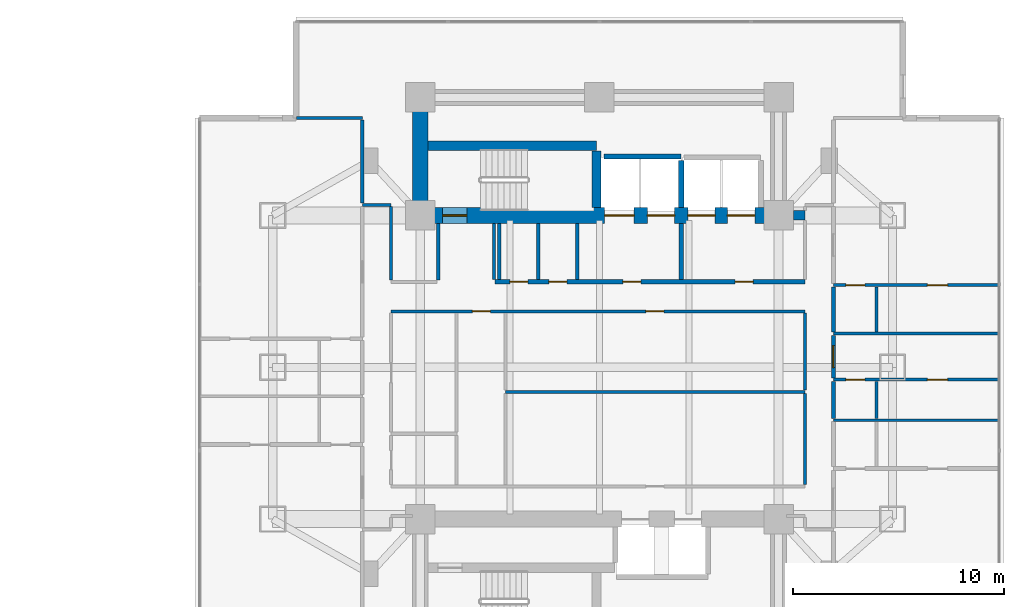
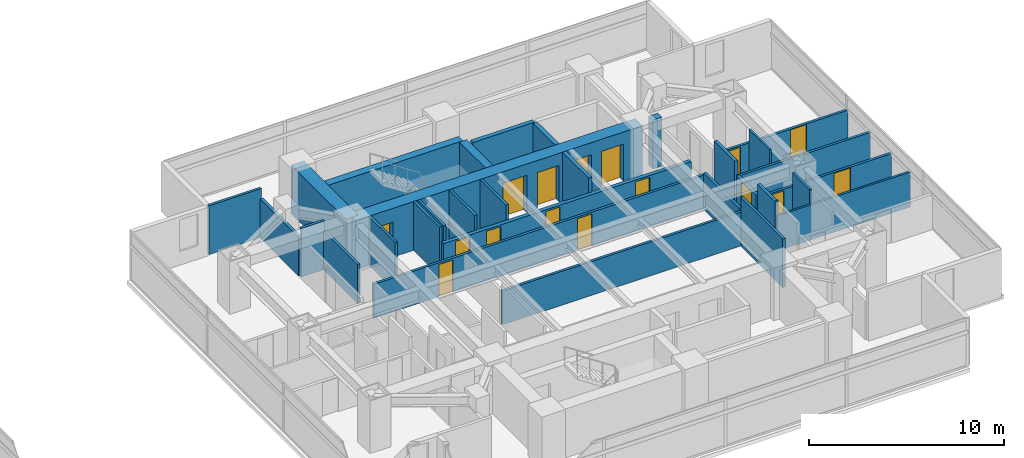
# One storey, part 19 of 26: 31 walls, 16 doors, 16 openings.
"""IFC4 building model written with IfcOpenShell, lengths in metres."""

from ifc_helpers import new_model, si_unit, direction, frame, frame_2d, origin, place, context, subcontext, project, spatial, rectangle, extrude, material, layer, layer_set, type_object, element, fill, save


model = new_model("IFC4")

# Units and contexts
model_context = context("Model", 3, precision=1e-05, world=origin(), true_north=direction((0.0, 1.0)))
body_context = subcontext(model_context, "Body", "Model", "MODEL_VIEW")
ifc_project = project(units=[si_unit("LENGTHUNIT", "METRE"), si_unit("AREAUNIT", "SQUARE_METRE"), si_unit("VOLUMEUNIT", "CUBIC_METRE"), si_unit("PLANEANGLEUNIT", "RADIAN"), si_unit("MASSUNIT", "GRAM", prefix="KILO")], contexts=[model_context])

# Site, building, storey
site_placement = place(None, origin())
site = spatial("IfcSite", under=ifc_project, at=site_placement, CompositionType="ELEMENT")
building_placement = place(site_placement, origin())
building = spatial("IfcBuilding", under=site, at=building_placement, Name="Mirazonda Arch Towers", CompositionType="ELEMENT")
storey_placement = place(building_placement, frame((0.0, 0.0, 38.89990234375)))
storey = spatial("IfcBuildingStorey", under=building, at=storey_placement, Name="L10", CompositionType="ELEMENT", Elevation=38.89990234375)

# Walls
ifc_material_1 = material(Name="Concrete C50/60", Category="concrete")
ifc_layer_1 = layer(ifc_material_1, 0.449951171875, Name="WALL-CORE-450")
ifc_layer_set_1 = layer_set([ifc_layer_1], Name="Concrete C50/60")
wall_type_1 = type_object("IfcWallType", Name="WALL-CORE-450", PredefinedType="SHEAR", material=ifc_layer_set_1)
wall_1_placement = place(storey_placement, frame((85.715087890625, 35.199951171875, 0.0), z_axis=(0.0, 0.0, 1.0), x_axis=(1.0, 0.0, 0.0)))
element("IfcWall", 1, at=wall_1_placement, inside=storey, type_object=wall_type_1, Name="L10 Stair Core Shear Wall 051", PredefinedType="SHEAR", context=body_context, shape_type="SweptSolid", body=[
    extrude(rectangle(XDim=0.534912109375, YDim=0.449951171875, at=frame_2d((0.267578125, 0.0))), origin(), (0.0, 0.0, 1.0), 3.06005859375),
])
wall_2_placement = place(storey_placement, frame((68.3701171875, 38.5, 0.0), z_axis=(0.0, 0.0, 1.0), x_axis=(1.0, 0.0, 0.0)))
element("IfcWall", 2, at=wall_2_placement, inside=storey, type_object=wall_type_1, Name="L10 Stair Core Shear Wall 056", PredefinedType="SHEAR", context=body_context, shape_type="SweptSolid", body=[
    extrude(rectangle(XDim=7.989990234375, YDim=0.449951171875, at=frame_2d((3.9951171875, 0.0))), origin(), (0.0, 0.0, 1.0), 3.06005859375),
])
wall_3_placement = place(storey_placement, frame((76.360107421875, 35.570068359375, 0.0), z_axis=(0.0, 0.0, 1.0), x_axis=(0.0, 1.0, 0.0)))
element("IfcWall", 3, at=wall_3_placement, inside=storey, type_object=wall_type_1, Name="L10 Stair Core Shear Wall 144", PredefinedType="SHEAR", context=body_context, shape_type="SweptSolid", body=[
    extrude(rectangle(XDim=2.69482421875, YDim=0.449951171875, at=frame_2d((1.347412109375, 0.0))), origin(), (0.0, 0.0, 1.0), 3.06005859375),
])
ifc_material_2 = material(Name="Concrete C60/75", Category="concrete")
ifc_layer_2 = layer(ifc_material_2, 0.75, Name="WALL-CORE-750")
ifc_layer_set_2 = layer_set([ifc_layer_2], Name="Concrete C60/75")
wall_type_2 = type_object("IfcWallType", Name="WALL-CORE-750", PredefinedType="SHEAR", material=ifc_layer_set_2)
wall_4_placement = place(storey_placement, frame((68.0, 35.199951171875, 0.0), z_axis=(0.0, 0.0, 1.0), x_axis=(0.0, 1.0, 0.0)))
element("IfcWall", 4, at=wall_4_placement, inside=storey, type_object=wall_type_2, Name="L10 T2N-W Core Shear Wall", PredefinedType="SHEAR", context=body_context, shape_type="SweptSolid", body=[
    extrude(rectangle(XDim=5.60009765625, YDim=0.75, at=frame_2d((2.800048828125, 0.0))), origin(), (0.0, 0.0, 1.0), 3.06005859375),
])

# Wall, openings, doors
wall_5_placement = place(storey_placement, frame((68.0, 35.199951171875, 0.0), z_axis=(0.0, 0.0, 1.0), x_axis=(1.0, 0.0, 0.0)))
wall_5 = element("IfcWall", 5, at=wall_5_placement, inside=storey, type_object=wall_type_2, Name="L10 T2N-S Core Shear Wall", PredefinedType="SHEAR", context=body_context, shape_type="SweptSolid", body=[
    extrude(rectangle(XDim=17.0, YDim=0.75, at=frame_2d((8.5, 0.0))), origin(), (0.0, 0.0, 1.0), 3.06005859375),
])
opening_1_placement = place(wall_5_placement, frame((1.06005859375, 0.0, 0.0)))
opening_1 = element("IfcOpeningElement", 6, at=opening_1_placement, cuts=wall_5, Name="Opening DR-135", PredefinedType="OPENING", context=body_context, shape_type="SweptSolid", body=[
    extrude(rectangle(XDim=1.14990234375, YDim=2.199951171875, at=frame_2d((0.574951171875, 1.10009765625))), frame((0.0, 0.385009765625, 0.0), z_axis=(0.0, -1.0, 0.0), x_axis=(1.0, 0.0, 0.0)), (0.0, 0.0, 1.0), 0.77001953125),
])
opening_2_placement = place(wall_5_placement, frame((8.75, 0.0, 0.0)))
opening_2 = element("IfcOpeningElement", 7, at=opening_2_placement, cuts=wall_5, Name="Opening LD-112", PredefinedType="OPENING", context=body_context, shape_type="SweptSolid", body=[
    extrude(rectangle(XDim=1.39990234375, YDim=2.35009765625, at=frame_2d((0.699951171875, 1.175048828125))), frame((0.0, 0.385009765625, 0.0), z_axis=(0.0, -1.0, 0.0), x_axis=(1.0, 0.0, 0.0)), (0.0, 0.0, 1.0), 0.77001953125),
])
opening_3_placement = place(wall_5_placement, frame((10.77001953125, 0.0, 0.0)))
opening_3 = element("IfcOpeningElement", 8, at=opening_3_placement, cuts=wall_5, Name="Opening LD-111", PredefinedType="OPENING", context=body_context, shape_type="SweptSolid", body=[
    extrude(rectangle(XDim=1.300048828125, YDim=2.300048828125, at=frame_2d((0.64990234375, 1.14990234375))), frame((0.0, 0.385009765625, 0.0), z_axis=(0.0, -1.0, 0.0), x_axis=(1.0, 0.0, 0.0)), (0.0, 0.0, 1.0), 0.77001953125),
])
opening_4_placement = place(wall_5_placement, frame((12.68994140625, 0.0, 0.0)))
opening_4 = element("IfcOpeningElement", 9, at=opening_4_placement, cuts=wall_5, Name="Opening LD-111", PredefinedType="OPENING", context=body_context, shape_type="SweptSolid", body=[
    extrude(rectangle(XDim=1.300048828125, YDim=2.300048828125, at=frame_2d((0.64990234375, 1.14990234375))), frame((0.0, 0.385009765625, 0.0), z_axis=(0.0, -1.0, 0.0), x_axis=(1.0, 0.0, 0.0)), (0.0, 0.0, 1.0), 0.77001953125),
])
opening_5_placement = place(wall_5_placement, frame((14.570068359375, 0.0, 0.0)))
opening_5 = element("IfcOpeningElement", 10, at=opening_5_placement, cuts=wall_5, Name="Opening LD-111", PredefinedType="OPENING", context=body_context, shape_type="SweptSolid", body=[
    extrude(rectangle(XDim=1.300048828125, YDim=2.300048828125, at=frame_2d((0.64990234375, 1.14990234375))), frame((0.0, 0.385009765625, 0.0), z_axis=(0.0, -1.0, 0.0), x_axis=(1.0, 0.0, 0.0)), (0.0, 0.0, 1.0), 0.77001953125),
])
ifc_material_3 = material(Name="Architectural Brushed Steel S355", Category="steel")
door_type_1 = type_object("IfcDoorType", Name="DOOR-LIFT-FFL-1400", OperationType="NOTDEFINED", PredefinedType="DOOR", material=ifc_material_3)
door_1_placement = place(opening_2_placement, origin())
door_1 = element("IfcDoor", 11, at=door_1_placement, inside=storey, type_object=door_type_1, Name="L10 Lift Landing Sliding Door FFL-T2", OperationType="DOUBLE_DOOR_SLIDING", OverallHeight=2.35009765625, OverallWidth=1.39990234375, PredefinedType="DOOR", context=body_context, shape_type="SweptSolid", body=[
    extrude(rectangle(XDim=1.39990234375, YDim=2.35009765625, at=frame_2d((0.699951171875, 1.175048828125))), frame((0.0, 0.02490234375, 0.0), z_axis=(0.0, -1.0, 0.0), x_axis=(1.0, 0.0, 0.0)), (0.0, 0.0, 1.0), 0.050048828125),
])
fill(opening_2, door_1)
door_type_2 = type_object("IfcDoorType", Name="DOOR-LIFT-LAND-1300", OperationType="NOTDEFINED", PredefinedType="DOOR", material=ifc_material_3)
door_2_placement = place(opening_3_placement, origin())
door_2 = element("IfcDoor", 12, at=door_2_placement, inside=storey, type_object=door_type_2, Name="L10 Lift Landing Sliding Door SVL-T2", OperationType="DOUBLE_DOOR_SLIDING", OverallHeight=2.300048828125, OverallWidth=1.300048828125, PredefinedType="DOOR", context=body_context, shape_type="SweptSolid", body=[
    extrude(rectangle(XDim=1.300048828125, YDim=2.300048828125, at=frame_2d((0.64990234375, 1.14990234375))), frame((0.0, 0.02490234375, 0.0), z_axis=(0.0, -1.0, 0.0), x_axis=(1.0, 0.0, 0.0)), (0.0, 0.0, 1.0), 0.050048828125),
])
fill(opening_3, door_2)
door_3_placement = place(opening_4_placement, origin())
door_3 = element("IfcDoor", 13, at=door_3_placement, inside=storey, type_object=door_type_2, Name="L10 Lift Landing Sliding Door PL-T2L1", OperationType="DOUBLE_DOOR_SLIDING", OverallHeight=2.300048828125, OverallWidth=1.300048828125, PredefinedType="DOOR", context=body_context, shape_type="SweptSolid", body=[
    extrude(rectangle(XDim=1.300048828125, YDim=2.300048828125, at=frame_2d((0.64990234375, 1.14990234375))), frame((0.0, 0.02490234375, 0.0), z_axis=(0.0, -1.0, 0.0), x_axis=(1.0, 0.0, 0.0)), (0.0, 0.0, 1.0), 0.050048828125),
])
fill(opening_4, door_3)
door_4_placement = place(opening_5_placement, origin())
door_4 = element("IfcDoor", 14, at=door_4_placement, inside=storey, type_object=door_type_2, Name="L10 Lift Landing Sliding Door PL-T2L2", OperationType="DOUBLE_DOOR_SLIDING", OverallHeight=2.300048828125, OverallWidth=1.300048828125, PredefinedType="DOOR", context=body_context, shape_type="SweptSolid", body=[
    extrude(rectangle(XDim=1.300048828125, YDim=2.300048828125, at=frame_2d((0.64990234375, 1.14990234375))), frame((0.0, 0.02490234375, 0.0), z_axis=(0.0, -1.0, 0.0), x_axis=(1.0, 0.0, 0.0)), (0.0, 0.0, 1.0), 0.050048828125),
])
fill(opening_5, door_4)
door_type_3 = type_object("IfcDoorType", Name="DOOR-STAIR-FD90-1150", OperationType="NOTDEFINED", PredefinedType="DOOR", material=ifc_material_3)
door_5_placement = place(opening_1_placement, origin())
door_5 = element("IfcDoor", 15, at=door_5_placement, inside=storey, type_object=door_type_3, Name="L10 East Protected Stair North Door", OperationType="SINGLE_SWING_LEFT", OverallHeight=2.199951171875, OverallWidth=1.14990234375, PredefinedType="DOOR", context=body_context, shape_type="SweptSolid", body=[
    extrude(rectangle(XDim=1.14990234375, YDim=2.199951171875, at=frame_2d((0.574951171875, 1.10009765625))), frame((0.0, 0.02490234375, 0.0), z_axis=(0.0, -1.0, 0.0), x_axis=(1.0, 0.0, 0.0)), (0.0, 0.0, 1.0), 0.050048828125),
])
fill(opening_1, door_5)

ifc_material_4 = material(Name="Concrete C40/50", Category="concrete")
ifc_layer_3 = layer(ifc_material_4, 0.219970703125, Name="WALL-FFL-220")
ifc_layer_set_3 = layer_set([ifc_layer_3], Name="Concrete C40/50")
wall_type_3 = type_object("IfcWallType", Name="WALL-FFL-220", PredefinedType="SOLIDWALL", material=ifc_layer_set_3)
wall_6_placement = place(storey_placement, frame((71.550048828125, 32.050048828125, 0.0), z_axis=(0.0, 0.0, 1.0), x_axis=(1.0, 0.0, 0.0)))
wall_6 = element("IfcWall", 16, at=wall_6_placement, inside=storey, type_object=wall_type_3, Name="L10 Interior Partition 045", PredefinedType="SOLIDWALL", context=body_context, shape_type="SweptSolid", body=[
    extrude(rectangle(XDim=14.699951171875, YDim=0.219970703125, at=frame_2d((7.35009765625, 0.0))), origin(), (0.0, 0.0, 1.0), 2.125),
])
opening_6_placement = place(wall_6_placement, frame((11.389892578125, 0.0, 0.0)))
opening_6 = element("IfcOpeningElement", 17, at=opening_6_placement, cuts=wall_6, Name="Opening DR-128", PredefinedType="OPENING", context=body_context, shape_type="SweptSolid", body=[
    extrude(rectangle(XDim=0.85009765625, YDim=2.010009765625, at=frame_2d((0.425048828125, 1.0048828125))), frame((0.0, 0.119873046875, 0.0), z_axis=(0.0, -1.0, 0.0), x_axis=(1.0, 0.0, 0.0)), (0.0, 0.0, 1.0), 0.239990234375),
])
opening_7_placement = place(wall_6_placement, frame((6.06494140625, 0.0, 0.0)))
opening_7 = element("IfcOpeningElement", 18, at=opening_7_placement, cuts=wall_6, Name="Opening DR-128", PredefinedType="OPENING", context=body_context, shape_type="SweptSolid", body=[
    extrude(rectangle(XDim=0.85009765625, YDim=2.010009765625, at=frame_2d((0.425048828125, 1.0048828125))), frame((0.0, 0.119873046875, 0.0), z_axis=(0.0, -1.0, 0.0), x_axis=(1.0, 0.0, 0.0)), (0.0, 0.0, 1.0), 0.239990234375),
])
opening_8_placement = place(wall_6_placement, frame((0.699951171875, 0.0, 0.0)))
opening_8 = element("IfcOpeningElement", 19, at=opening_8_placement, cuts=wall_6, Name="Opening DR-128", PredefinedType="OPENING", context=body_context, shape_type="SweptSolid", body=[
    extrude(rectangle(XDim=0.85009765625, YDim=2.010009765625, at=frame_2d((0.425048828125, 1.0048828125))), frame((0.0, 0.119873046875, 0.0), z_axis=(0.0, -1.0, 0.0), x_axis=(1.0, 0.0, 0.0)), (0.0, 0.0, 1.0), 0.239990234375),
])
opening_9_placement = place(wall_6_placement, frame((2.550048828125, 0.0, 0.0)))
opening_9 = element("IfcOpeningElement", 20, at=opening_9_placement, cuts=wall_6, Name="Opening DR-128", PredefinedType="OPENING", context=body_context, shape_type="SweptSolid", body=[
    extrude(rectangle(XDim=0.85009765625, YDim=2.010009765625, at=frame_2d((0.425048828125, 1.0048828125))), frame((0.0, 0.119873046875, 0.0), z_axis=(0.0, -1.0, 0.0), x_axis=(1.0, 0.0, 0.0)), (0.0, 0.0, 1.0), 0.239990234375),
])
door_type_4 = type_object("IfcDoorType", Name="DOOR-RISER-FD60-850", OperationType="NOTDEFINED", PredefinedType="DOOR", material=ifc_material_3)
door_6_placement = place(opening_6_placement, origin())
door_6 = element("IfcDoor", 21, at=door_6_placement, inside=storey, type_object=door_type_4, Name="L10 East Passenger Lift Lobby Door", OperationType="SINGLE_SWING_RIGHT", OverallHeight=2.010009765625, OverallWidth=0.85009765625, PredefinedType="DOOR", context=body_context, shape_type="SweptSolid", body=[
    extrude(rectangle(XDim=0.85009765625, YDim=2.010009765625, at=frame_2d((0.425048828125, 1.0048828125))), frame((0.0, 0.02490234375, 0.0), z_axis=(0.0, -1.0, 0.0), x_axis=(1.0, 0.0, 0.0)), (0.0, 0.0, 1.0), 0.050048828125),
])
fill(opening_6, door_6)
door_7_placement = place(opening_7_placement, origin())
door_7 = element("IfcDoor", 22, at=door_7_placement, inside=storey, type_object=door_type_4, Name="L10 East Firefighting Lift Lobby Door", OperationType="SINGLE_SWING_RIGHT", OverallHeight=2.010009765625, OverallWidth=0.85009765625, PredefinedType="DOOR", context=body_context, shape_type="SweptSolid", body=[
    extrude(rectangle(XDim=0.85009765625, YDim=2.010009765625, at=frame_2d((0.425048828125, 1.0048828125))), frame((0.0, 0.02490234375, 0.0), z_axis=(0.0, -1.0, 0.0), x_axis=(1.0, 0.0, 0.0)), (0.0, 0.0, 1.0), 0.050048828125),
])
fill(opening_7, door_7)
door_8_placement = place(opening_8_placement, origin())
door_8 = element("IfcDoor", 23, at=door_8_placement, inside=storey, type_object=door_type_4, Name="L10 Tower 2 Electrical Room Door", OperationType="SINGLE_SWING_LEFT", OverallHeight=2.010009765625, OverallWidth=0.85009765625, PredefinedType="DOOR", context=body_context, shape_type="SweptSolid", body=[
    extrude(rectangle(XDim=0.85009765625, YDim=2.010009765625, at=frame_2d((0.425048828125, 1.0048828125))), frame((0.0, 0.02490234375, 0.0), z_axis=(0.0, -1.0, 0.0), x_axis=(1.0, 0.0, 0.0)), (0.0, 0.0, 1.0), 0.050048828125),
])
fill(opening_8, door_8)
door_9_placement = place(opening_9_placement, origin())
door_9 = element("IfcDoor", 24, at=door_9_placement, inside=storey, type_object=door_type_4, Name="L10 Tower 2 Cleaners Store Door", OperationType="SINGLE_SWING_RIGHT", OverallHeight=2.010009765625, OverallWidth=0.85009765625, PredefinedType="DOOR", context=body_context, shape_type="SweptSolid", body=[
    extrude(rectangle(XDim=0.85009765625, YDim=2.010009765625, at=frame_2d((0.425048828125, 1.0048828125))), frame((0.0, 0.02490234375, 0.0), z_axis=(0.0, -1.0, 0.0), x_axis=(1.0, 0.0, 0.0)), (0.0, 0.0, 1.0), 0.050048828125),
])
fill(opening_9, door_9)

# Walls
wall_7_placement = place(storey_placement, frame((80.3798828125, 32.169921875, 0.0), z_axis=(0.0, 0.0, 1.0), x_axis=(0.0, 1.0, 0.0)))
element("IfcWall", 25, at=wall_7_placement, inside=storey, type_object=wall_type_3, Name="L10 Interior Partition 146", PredefinedType="SOLIDWALL", context=body_context, shape_type="SweptSolid", body=[
    extrude(rectangle(XDim=2.66015625, YDim=0.219970703125, at=frame_2d((1.330078125, 0.0))), origin(), (0.0, 0.0, 1.0), 3.06005859375),
])
ifc_material_5 = material(Name="Fire-Rated Gypsum Stud Partition")
ifc_layer_4 = layer(ifc_material_5, 0.14990234375, Name="WALL-PART-CORR-150")
ifc_layer_set_4 = layer_set([ifc_layer_4], Name="Fire-Rated Gypsum Stud Partition")
wall_type_4 = type_object("IfcWallType", Name="WALL-PART-CORR-150", PredefinedType="PARTITIONING", material=ifc_layer_set_4)
wall_8_placement = place(storey_placement, frame((72.050048828125, 26.83203125, 0.0), z_axis=(0.0, 0.0, 1.0), x_axis=(1.0, 0.0, 0.0)))
element("IfcWall", 26, at=wall_8_placement, inside=storey, type_object=wall_type_4, Name="L10 Interior Partition 033", PredefinedType="PARTITIONING", context=body_context, shape_type="SweptSolid", body=[
    extrude(rectangle(XDim=14.199951171875, YDim=0.14990234375, at=frame_2d((7.10009765625, 0.0))), origin(), (0.0, 0.0, 1.0), 2.125),
])

# Wall, openings, doors
wall_9_placement = place(storey_placement, frame((87.60009765625, 27.412109375, 0.0), z_axis=(0.0, 0.0, 1.0), x_axis=(1.0, 0.0, 0.0)))
wall_9 = element("IfcWall", 27, at=wall_9_placement, inside=storey, type_object=wall_type_4, Name="L10 Interior Partition 035", PredefinedType="PARTITIONING", context=body_context, shape_type="SweptSolid", body=[
    extrude(rectangle(XDim=7.869873046875, YDim=0.14990234375, at=frame_2d((3.93505859375, 0.0))), origin(), (0.0, 0.0, 1.0), 2.196044921875),
])
opening_10_placement = place(wall_9_placement, frame((4.4599609375, 0.0, 0.0)))
opening_10 = element("IfcOpeningElement", 28, at=opening_10_placement, cuts=wall_9, Name="Opening DR-104", PredefinedType="OPENING", context=body_context, shape_type="SweptSolid", body=[
    extrude(rectangle(XDim=0.949951171875, YDim=2.14990234375, at=frame_2d((0.47509765625, 1.074951171875))), frame((0.0, 0.0849609375, 0.0), z_axis=(0.0, -1.0, 0.0), x_axis=(1.0, 0.0, 0.0)), (0.0, 0.0, 1.0), 0.169921875),
])
opening_11_placement = place(wall_9_placement, frame((0.590087890625, 0.0, 0.0)))
opening_11 = element("IfcOpeningElement", 29, at=opening_11_placement, cuts=wall_9, Name="Opening DR-120", PredefinedType="OPENING", context=body_context, shape_type="SweptSolid", body=[
    extrude(rectangle(XDim=0.89990234375, YDim=2.10009765625, at=frame_2d((0.449951171875, 1.050048828125))), frame((0.0, 0.0849609375, 0.0), z_axis=(0.0, -1.0, 0.0), x_axis=(1.0, 0.0, 0.0)), (0.0, 0.0, 1.0), 0.169921875),
])
door_type_5 = type_object("IfcDoorType", Name="DOOR-ROOM-950", OperationType="NOTDEFINED", PredefinedType="DOOR", material=ifc_material_3)
door_10_placement = place(opening_10_placement, origin())
door_10 = element("IfcDoor", 30, at=door_10_placement, inside=storey, type_object=door_type_5, Name="L10 Guestroom Study 2 Door", OperationType="SINGLE_SWING_LEFT", OverallHeight=2.14990234375, OverallWidth=0.949951171875, PredefinedType="DOOR", context=body_context, shape_type="SweptSolid", body=[
    extrude(rectangle(XDim=0.949951171875, YDim=2.14990234375, at=frame_2d((0.47509765625, 1.074951171875))), frame((0.0, 0.02490234375, 0.0), z_axis=(0.0, -1.0, 0.0), x_axis=(1.0, 0.0, 0.0)), (0.0, 0.0, 1.0), 0.050048828125),
])
fill(opening_10, door_10)
door_type_6 = type_object("IfcDoorType", Name="DOOR-WC-900", OperationType="NOTDEFINED", PredefinedType="DOOR", material=ifc_material_3)
door_11_placement = place(opening_11_placement, origin())
door_11 = element("IfcDoor", 31, at=door_11_placement, inside=storey, type_object=door_type_6, Name="L10 En-Suite Bathroom 2 Door", OperationType="SINGLE_SWING_RIGHT", OverallHeight=2.10009765625, OverallWidth=0.89990234375, PredefinedType="DOOR", context=body_context, shape_type="SweptSolid", body=[
    extrude(rectangle(XDim=0.89990234375, YDim=2.10009765625, at=frame_2d((0.449951171875, 1.050048828125))), frame((0.0, 0.02490234375, 0.0), z_axis=(0.0, -1.0, 0.0), x_axis=(1.0, 0.0, 0.0)), (0.0, 0.0, 1.0), 0.050048828125),
])
fill(opening_11, door_11)

# Wall
wall_10_placement = place(storey_placement, frame((87.60009765625, 29.595947265625, 0.0), z_axis=(0.0, 0.0, 1.0), x_axis=(1.0, 0.0, 0.0)))
element("IfcWall", 32, at=wall_10_placement, inside=storey, type_object=wall_type_4, Name="L10 Interior Partition 039", PredefinedType="PARTITIONING", context=body_context, shape_type="SweptSolid", body=[
    extrude(rectangle(XDim=7.869873046875, YDim=0.14990234375, at=frame_2d((3.93505859375, 0.0))), origin(), (0.0, 0.0, 1.0), 2.196044921875),
])

# Wall, openings, doors
wall_11_placement = place(storey_placement, frame((66.6201171875, 30.64990234375, 0.0), z_axis=(0.0, 0.0, 1.0), x_axis=(1.0, 0.0, 0.0)))
wall_11 = element("IfcWall", 33, at=wall_11_placement, inside=storey, type_object=wall_type_4, Name="L10 Interior Partition 041", PredefinedType="PARTITIONING", context=body_context, shape_type="SweptSolid", body=[
    extrude(rectangle(XDim=19.6298828125, YDim=0.14990234375, at=frame_2d((9.81494140625, 0.0))), origin(), (0.0, 0.0, 1.0), 2.125),
])
opening_12_placement = place(wall_11_placement, frame((3.85498046875, 0.0, 0.0)))
opening_12 = element("IfcOpeningElement", 34, at=opening_12_placement, cuts=wall_11, Name="Opening DR-128", PredefinedType="OPENING", context=body_context, shape_type="SweptSolid", body=[
    extrude(rectangle(XDim=0.85009765625, YDim=2.010009765625, at=frame_2d((0.425048828125, 1.0048828125))), frame((0.0, 0.0849609375, 0.0), z_axis=(0.0, -1.0, 0.0), x_axis=(1.0, 0.0, 0.0)), (0.0, 0.0, 1.0), 0.169921875),
])
opening_13_placement = place(wall_11_placement, frame((12.0849609375, 0.0, 0.0)))
opening_13 = element("IfcOpeningElement", 35, at=opening_13_placement, cuts=wall_11, Name="Opening DR-128", PredefinedType="OPENING", context=body_context, shape_type="SweptSolid", body=[
    extrude(rectangle(XDim=0.85009765625, YDim=2.010009765625, at=frame_2d((0.425048828125, 1.0048828125))), frame((0.0, 0.0849609375, 0.0), z_axis=(0.0, -1.0, 0.0), x_axis=(1.0, 0.0, 0.0)), (0.0, 0.0, 1.0), 0.169921875),
])
door_12_placement = place(opening_12_placement, origin())
door_12 = element("IfcDoor", 36, at=door_12_placement, inside=storey, type_object=door_type_4, Name="L10 L10 East Courtyard Study Door", OperationType="SINGLE_SWING_LEFT", OverallHeight=2.010009765625, OverallWidth=0.85009765625, PredefinedType="DOOR", context=body_context, shape_type="SweptSolid", body=[
    extrude(rectangle(XDim=0.85009765625, YDim=2.010009765625, at=frame_2d((0.425048828125, 1.0048828125))), frame((0.0, 0.02490234375, 0.0), z_axis=(0.0, -1.0, 0.0), x_axis=(1.0, 0.0, 0.0)), (0.0, 0.0, 1.0), 0.050048828125),
])
fill(opening_12, door_12)
door_13_placement = place(opening_13_placement, origin())
door_13 = element("IfcDoor", 37, at=door_13_placement, inside=storey, type_object=door_type_4, Name="L10 Concierge Salon Door", OperationType="SINGLE_SWING_LEFT", OverallHeight=2.010009765625, OverallWidth=0.85009765625, PredefinedType="DOOR", context=body_context, shape_type="SweptSolid", body=[
    extrude(rectangle(XDim=0.85009765625, YDim=2.010009765625, at=frame_2d((0.425048828125, 1.0048828125))), frame((0.0, 0.02490234375, 0.0), z_axis=(0.0, -1.0, 0.0), x_axis=(1.0, 0.0, 0.0)), (0.0, 0.0, 1.0), 0.050048828125),
])
fill(opening_13, door_13)

wall_12_placement = place(storey_placement, frame((87.60009765625, 31.89599609375, 0.0), z_axis=(0.0, 0.0, 1.0), x_axis=(1.0, 0.0, 0.0)))
wall_12 = element("IfcWall", 38, at=wall_12_placement, inside=storey, type_object=wall_type_4, Name="L10 Interior Partition 043", PredefinedType="PARTITIONING", context=body_context, shape_type="SweptSolid", body=[
    extrude(rectangle(XDim=7.869873046875, YDim=0.14990234375, at=frame_2d((3.93505859375, 0.0))), origin(), (0.0, 0.0, 1.0), 2.196044921875),
])
opening_14_placement = place(wall_12_placement, frame((4.4599609375, 0.0, 0.0)))
opening_14 = element("IfcOpeningElement", 39, at=opening_14_placement, cuts=wall_12, Name="Opening DR-104", PredefinedType="OPENING", context=body_context, shape_type="SweptSolid", body=[
    extrude(rectangle(XDim=0.949951171875, YDim=2.14990234375, at=frame_2d((0.47509765625, 1.074951171875))), frame((0.0, 0.0849609375, 0.0), z_axis=(0.0, -1.0, 0.0), x_axis=(1.0, 0.0, 0.0)), (0.0, 0.0, 1.0), 0.169921875),
])
opening_15_placement = place(wall_12_placement, frame((0.590087890625, 0.0, 0.0)))
opening_15 = element("IfcOpeningElement", 40, at=opening_15_placement, cuts=wall_12, Name="Opening DR-120", PredefinedType="OPENING", context=body_context, shape_type="SweptSolid", body=[
    extrude(rectangle(XDim=0.89990234375, YDim=2.10009765625, at=frame_2d((0.449951171875, 1.050048828125))), frame((0.0, 0.0849609375, 0.0), z_axis=(0.0, -1.0, 0.0), x_axis=(1.0, 0.0, 0.0)), (0.0, 0.0, 1.0), 0.169921875),
])
door_14_placement = place(opening_14_placement, origin())
door_14 = element("IfcDoor", 41, at=door_14_placement, inside=storey, type_object=door_type_5, Name="L10 Guestroom Study 3 Door", OperationType="SINGLE_SWING_RIGHT", OverallHeight=2.14990234375, OverallWidth=0.949951171875, PredefinedType="DOOR", context=body_context, shape_type="SweptSolid", body=[
    extrude(rectangle(XDim=0.949951171875, YDim=2.14990234375, at=frame_2d((0.47509765625, 1.074951171875))), frame((0.0, 0.02490234375, 0.0), z_axis=(0.0, -1.0, 0.0), x_axis=(1.0, 0.0, 0.0)), (0.0, 0.0, 1.0), 0.050048828125),
])
fill(opening_14, door_14)
door_15_placement = place(opening_15_placement, origin())
door_15 = element("IfcDoor", 42, at=door_15_placement, inside=storey, type_object=door_type_6, Name="L10 En-Suite Bathroom 3 Door", OperationType="SINGLE_SWING_LEFT", OverallHeight=2.10009765625, OverallWidth=0.89990234375, PredefinedType="DOOR", context=body_context, shape_type="SweptSolid", body=[
    extrude(rectangle(XDim=0.89990234375, YDim=2.10009765625, at=frame_2d((0.449951171875, 1.050048828125))), frame((0.0, 0.02490234375, 0.0), z_axis=(0.0, -1.0, 0.0), x_axis=(1.0, 0.0, 0.0)), (0.0, 0.0, 1.0), 0.050048828125),
])
fill(opening_15, door_15)

# Walls
wall_13_placement = place(storey_placement, frame((65.25, 35.699951171875, 0.0), z_axis=(0.0, 0.0, 1.0), x_axis=(1.0, 0.0, 0.0)))
element("IfcWall", 43, at=wall_13_placement, inside=storey, type_object=wall_type_4, Name="L10 Interior Partition 052", PredefinedType="PARTITIONING", context=body_context, shape_type="SweptSolid", body=[
    extrude(rectangle(XDim=1.3701171875, YDim=0.14990234375, at=frame_2d((0.68505859375, 0.0))), origin(), (0.0, 0.0, 1.0), 3.06005859375),
])
wall_14_placement = place(storey_placement, frame((62.1298828125, 39.81689453125, 0.0), z_axis=(0.0, 0.0, 1.0), x_axis=(1.0, 0.0, 0.0)))
element("IfcWall", 44, at=wall_14_placement, inside=storey, type_object=wall_type_4, Name="L10 Interior Partition 057", PredefinedType="PARTITIONING", context=body_context, shape_type="SweptSolid", body=[
    extrude(rectangle(XDim=3.1201171875, YDim=0.14990234375, at=frame_2d((1.56005859375, 0.0))), origin(), (0.0, 0.0, 1.0), 3.06005859375),
])
wall_15_placement = place(storey_placement, frame((66.6201171875, 32.135009765625, 0.0), z_axis=(0.0, 0.0, 1.0), x_axis=(0.0, 1.0, 0.0)))
element("IfcWall", 45, at=wall_15_placement, inside=storey, type_object=wall_type_4, Name="L10 Interior Partition 133", PredefinedType="PARTITIONING", context=body_context, shape_type="SweptSolid", body=[
    extrude(rectangle(XDim=3.47998046875, YDim=0.14990234375, at=frame_2d((1.739990234375, 0.0))), origin(), (0.0, 0.0, 1.0), 2.4521484375),
])
wall_16_placement = place(storey_placement, frame((68.85009765625, 32.135009765625, 0.0), z_axis=(0.0, 0.0, 1.0), x_axis=(0.0, 1.0, 0.0)))
element("IfcWall", 46, at=wall_16_placement, inside=storey, type_object=wall_type_4, Name="L10 Interior Partition 134", PredefinedType="PARTITIONING", context=body_context, shape_type="SweptSolid", body=[
    extrude(rectangle(XDim=2.695068359375, YDim=0.14990234375, at=frame_2d((1.34765625, 0.0))), origin(), (0.0, 0.0, 1.0), 3.06005859375),
])
for number, where, z_axis, x_axis, name in (
    (47, (71.5, 32.169921875, 0.0), (0.0, 0.0, 1.0), (0.0, 1.0, 0.0), "L10 Interior Partition 137"),
    (48, (71.75, 32.169921875, 0.0), (0.0, 0.0, 1.0), (0.0, 1.0, 0.0), "L10 Interior Partition 138"),
    (49, (73.60009765625, 32.169921875, 0.0), (0.0, 0.0, 1.0), (0.0, 1.0, 0.0), "L10 Interior Partition 141"),
    (50, (75.449951171875, 32.169921875, 0.0), (0.0, 0.0, 1.0), (0.0, 1.0, 0.0), "L10 Interior Partition 142"),
):
    element("IfcWall", number, at=place(storey_placement, frame(where, z_axis=z_axis, x_axis=x_axis)), inside=storey, type_object=wall_type_4, Name=name, PredefinedType="PARTITIONING", context=body_context, shape_type="SweptSolid", body=[
        extrude(rectangle(XDim=2.66015625, YDim=0.14990234375, at=frame_2d((1.330078125, 0.0))), origin(), (0.0, 0.0, 1.0), 3.06005859375),
    ])
wall_17_placement = place(storey_placement, frame((86.25, 22.43505859375, 0.0), z_axis=(0.0, 0.0, 1.0), x_axis=(0.0, 1.0, 0.0)))
element("IfcWall", 51, at=wall_17_placement, inside=storey, type_object=wall_type_4, Name="L10 Interior Partition 151", PredefinedType="PARTITIONING", context=body_context, shape_type="SweptSolid", body=[
    extrude(rectangle(XDim=4.31201171875, YDim=0.14990234375, at=frame_2d((2.156005859375, 0.0))), origin(), (0.0, 0.0, 1.0), 3.06005859375),
])
wall_18_placement = place(storey_placement, frame((86.25, 26.9169921875, 0.0), z_axis=(0.0, 0.0, 1.0), x_axis=(0.0, 1.0, 0.0)))
element("IfcWall", 52, at=wall_18_placement, inside=storey, type_object=wall_type_4, Name="L10 Interior Partition 152", PredefinedType="PARTITIONING", context=body_context, shape_type="SweptSolid", body=[
    extrude(rectangle(XDim=3.64794921875, YDim=0.14990234375, at=frame_2d((1.823974609375, 0.0))), origin(), (0.0, 0.0, 1.0), 2.279052734375),
])
ifc_material_6 = material(Name="Fire-Rated Gypsum Twin-Stud Assembly")
ifc_layer_5 = layer(ifc_material_6, 0.179931640625, Name="WALL-PART-DEMISE-180")
ifc_layer_set_5 = layer_set([ifc_layer_5], Name="Fire-Rated Gypsum Twin-Stud Assembly")
wall_type_5 = type_object("IfcWallType", Name="WALL-PART-DEMISE-180", PredefinedType="PARTITIONING", material=ifc_layer_set_5)
wall_19_placement = place(storey_placement, frame((65.25, 35.784912109375, 0.0), z_axis=(0.0, 0.0, 1.0), x_axis=(0.0, 1.0, 0.0)))
element("IfcWall", 53, at=wall_19_placement, inside=storey, type_object=wall_type_5, Name="L10 Interior Partition 129", PredefinedType="PARTITIONING", context=body_context, shape_type="SweptSolid", body=[
    extrude(rectangle(XDim=3.947021484375, YDim=0.179931640625, at=frame_2d((1.9736328125, 0.0))), origin(), (0.0, 0.0, 1.0), 2.43603515625),
])
wall_20_placement = place(storey_placement, frame((87.60009765625, 25.564453125, 0.0), z_axis=(0.0, 0.0, 1.0), x_axis=(0.0, 1.0, 0.0)))
element("IfcWall", 54, at=wall_20_placement, inside=storey, type_object=wall_type_5, Name="L10 Interior Partition 158", PredefinedType="PARTITIONING", context=body_context, shape_type="SweptSolid", body=[
    extrude(rectangle(XDim=1.762451171875, YDim=0.179931640625, at=frame_2d((0.88134765625, 0.0))), origin(), (0.0, 0.0, 1.0), 3.06005859375),
])

# Wall, opening, door
wall_21_placement = place(storey_placement, frame((87.60009765625, 27.4970703125, 0.0), z_axis=(0.0, 0.0, 1.0), x_axis=(0.0, 1.0, 0.0)))
wall_21 = element("IfcWall", 55, at=wall_21_placement, inside=storey, type_object=wall_type_5, Name="L10 Interior Partition 159", PredefinedType="PARTITIONING", context=body_context, shape_type="SweptSolid", body=[
    extrude(rectangle(XDim=2.013916015625, YDim=0.179931640625, at=frame_2d((1.0068359375, 0.0))), origin(), (0.0, 0.0, 1.0), 2.279052734375),
])
opening_16_placement = place(wall_21_placement, frame((0.48193359375, 0.0, 0.0)))
opening_16 = element("IfcOpeningElement", 56, at=opening_16_placement, cuts=wall_21, Name="Opening DR-121", PredefinedType="OPENING", context=body_context, shape_type="SweptSolid", body=[
    extrude(rectangle(XDim=1.050048828125, YDim=2.199951171875, at=frame_2d((0.52490234375, 1.10009765625))), frame((0.0, 0.099853515625, 0.0), z_axis=(0.0, -1.0, 0.0), x_axis=(1.0, 0.0, 0.0)), (0.0, 0.0, 1.0), 0.199951171875),
])
door_type_7 = type_object("IfcDoorType", Name="DOOR-SUITE-FD60-1050", OperationType="NOTDEFINED", PredefinedType="DOOR", material=ifc_material_3)
door_16_placement = place(opening_16_placement, origin())
door_16 = element("IfcDoor", 57, at=door_16_placement, inside=storey, type_object=door_type_7, Name="L10 Twin Hotel Guestroom 2 Door", OperationType="SINGLE_SWING_RIGHT", OverallHeight=2.199951171875, OverallWidth=1.050048828125, PredefinedType="DOOR", context=body_context, shape_type="SweptSolid", body=[
    extrude(rectangle(XDim=1.050048828125, YDim=2.199951171875, at=frame_2d((0.52490234375, 1.10009765625))), frame((0.0, 0.02490234375, 0.0), z_axis=(0.0, -1.0, 0.0), x_axis=(1.0, 0.0, 0.0)), (0.0, 0.0, 1.0), 0.050048828125),
])
fill(opening_16, door_16)

# Walls
wall_22_placement = place(storey_placement, frame((87.60009765625, 29.680908203125, 0.0), z_axis=(0.0, 0.0, 1.0), x_axis=(0.0, 1.0, 0.0)))
element("IfcWall", 58, at=wall_22_placement, inside=storey, type_object=wall_type_5, Name="L10 Interior Partition 160", PredefinedType="PARTITIONING", context=body_context, shape_type="SweptSolid", body=[
    extrude(rectangle(XDim=2.130126953125, YDim=0.179931640625, at=frame_2d((1.06494140625, 0.0))), origin(), (0.0, 0.0, 1.0), 3.06005859375),
])
ifc_material_7 = material(Name="Acoustic Fire-Rated Gypsum Partition")
ifc_layer_6 = layer(ifc_material_7, 0.125, Name="WALL-PART-UNIT-125")
ifc_layer_set_6 = layer_set([ifc_layer_6], Name="Acoustic Fire-Rated Gypsum Partition")
wall_type_6 = type_object("IfcWallType", Name="WALL-PART-UNIT-125", PredefinedType="PARTITIONING", material=ifc_layer_set_6)
wall_23_placement = place(storey_placement, frame((87.60009765625, 25.491943359375, 0.0), z_axis=(0.0, 0.0, 1.0), x_axis=(1.0, 0.0, 0.0)))
element("IfcWall", 59, at=wall_23_placement, inside=storey, type_object=wall_type_6, Name="L10 Interior Partition 030", PredefinedType="PARTITIONING", context=body_context, shape_type="SweptSolid", body=[
    extrude(rectangle(XDim=7.869873046875, YDim=0.125, at=frame_2d((3.93505859375, 0.0))), origin(), (0.0, 0.0, 1.0), 2.196044921875),
])
wall_24_placement = place(storey_placement, frame((89.639892578125, 25.564453125, 0.0), z_axis=(0.0, 0.0, 1.0), x_axis=(0.0, 1.0, 0.0)))
element("IfcWall", 60, at=wall_24_placement, inside=storey, type_object=wall_type_6, Name="L10 Interior Partition 164", PredefinedType="PARTITIONING", context=body_context, shape_type="SweptSolid", body=[
    extrude(rectangle(XDim=1.762451171875, YDim=0.125, at=frame_2d((0.88134765625, 0.0))), origin(), (0.0, 0.0, 1.0), 3.06005859375),
])
wall_25_placement = place(storey_placement, frame((89.639892578125, 29.680908203125, 0.0), z_axis=(0.0, 0.0, 1.0), x_axis=(0.0, 1.0, 0.0)))
element("IfcWall", 61, at=wall_25_placement, inside=storey, type_object=wall_type_6, Name="L10 Interior Partition 165", PredefinedType="PARTITIONING", context=body_context, shape_type="SweptSolid", body=[
    extrude(rectangle(XDim=2.130126953125, YDim=0.125, at=frame_2d((1.06494140625, 0.0))), origin(), (0.0, 0.0, 1.0), 3.06005859375),
])
ifc_layer_7 = layer(ifc_material_4, 0.25, Name="WALL-SHAFT-250")
ifc_layer_set_7 = layer_set([ifc_layer_7], Name="Concrete C40/50")
wall_type_7 = type_object("IfcWallType", Name="WALL-SHAFT-250", PredefinedType="SOLIDWALL", material=ifc_layer_set_7)
wall_26_placement = place(storey_placement, frame((76.719970703125, 38.0, 0.0), z_axis=(0.0, 0.0, 1.0), x_axis=(1.0, 0.0, 0.0)))
element("IfcWall", 62, at=wall_26_placement, inside=storey, type_object=wall_type_7, Name="L10 Interior Partition 055", PredefinedType="SOLIDWALL", context=body_context, shape_type="SweptSolid", body=[
    extrude(rectangle(XDim=3.659912109375, YDim=0.25, at=frame_2d((1.830078125, 0.0))), origin(), (0.0, 0.0, 1.0), 3.06005859375),
])
wall_27_placement = place(storey_placement, frame((80.3798828125, 35.570068359375, 0.0), z_axis=(0.0, 0.0, 1.0), x_axis=(0.0, 1.0, 0.0)))
element("IfcWall", 63, at=wall_27_placement, inside=storey, type_object=wall_type_7, Name="L10 Interior Partition 147", PredefinedType="SOLIDWALL", context=body_context, shape_type="SweptSolid", body=[
    extrude(rectangle(XDim=2.244873046875, YDim=0.25, at=frame_2d((1.12255859375, 0.0))), origin(), (0.0, 0.0, 1.0), 3.06005859375),
])

save(model, "model.ifc")
